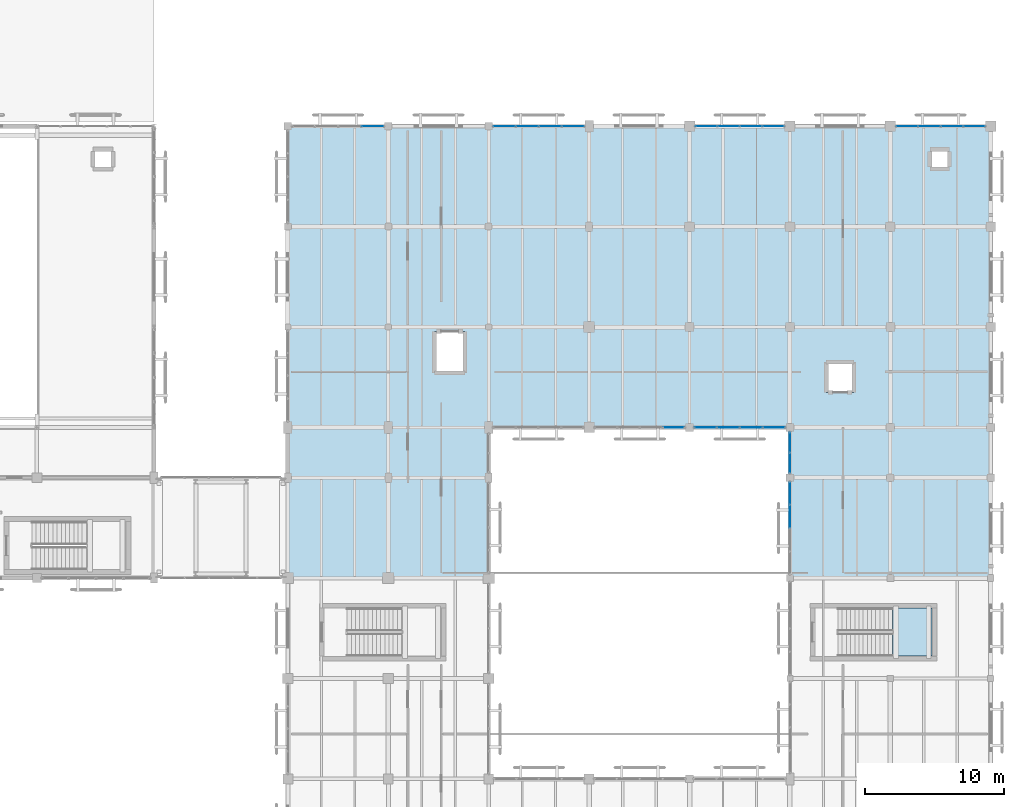
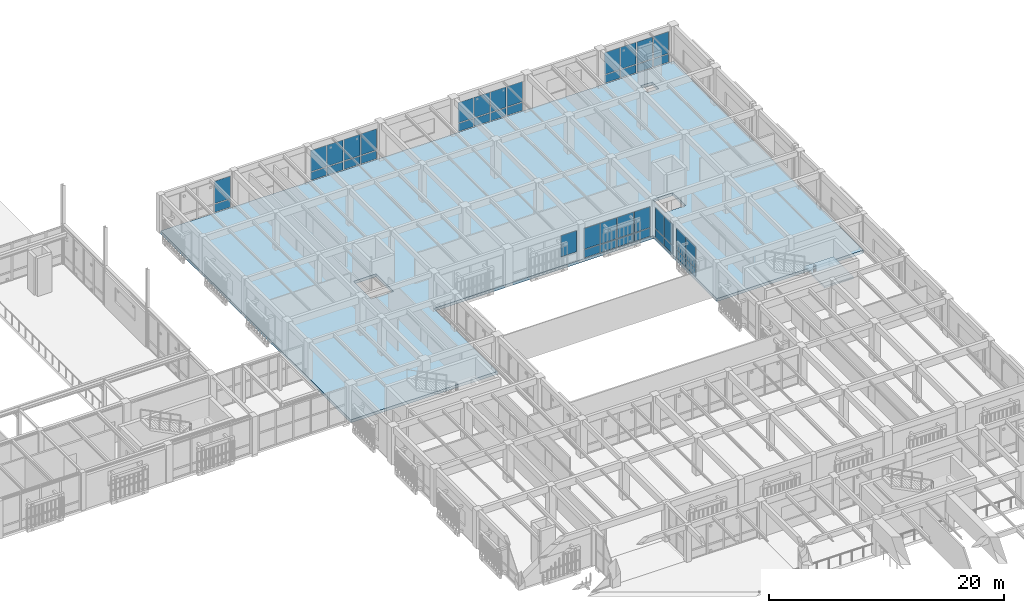
# One storey, part 127 of 170: 43 plates, 2 slabs, 9 elements without a shape of their own.
"""IFC4 building model written with IfcOpenShell, lengths in metres."""

from ifc_helpers import new_model, si_unit, direction, frame, origin, origin_2d, place, context, subcontext, project, spatial, polyline, rectangle, outline, extrude, material, layer, layer_set, type_object, element, aggregate, save


model = new_model("IFC4")

# Units and contexts
model_context = context("Model", 3, precision=1e-05, world=origin(), true_north=direction((0.0, 1.0)))
body_context = subcontext(model_context, "Body", "Model", "MODEL_VIEW")
ifc_project = project(units=[si_unit("LENGTHUNIT", "METRE"), si_unit("AREAUNIT", "SQUARE_METRE"), si_unit("VOLUMEUNIT", "CUBIC_METRE"), si_unit("PLANEANGLEUNIT", "RADIAN"), si_unit("MASSUNIT", "GRAM", prefix="KILO")], contexts=[model_context])

# Site, building, storey
site_placement = place(None, origin())
site = spatial("IfcSite", under=ifc_project, at=site_placement, CompositionType="ELEMENT")
building_placement = place(site_placement, origin())
building = spatial("IfcBuilding", under=site, at=building_placement, Name="Mazaris Harbour Polytechnic", CompositionType="ELEMENT")
storey_placement = place(building_placement, frame((0.0, 0.0, 5.39990234375)))
storey = spatial("IfcBuildingStorey", under=building, at=storey_placement, Name="L01", CompositionType="ELEMENT", Elevation=5.39990234375)

# Slab
ifc_material_1 = material(Name="Concrete C35/45", Category="concrete")
ifc_layer_1 = layer(ifc_material_1, 0.300048828125, Name="Concrete C35/45")
ifc_layer_set_1 = layer_set([ifc_layer_1], Name="Concrete C35/45")
slab_type_1 = type_object("IfcSlabType", Name="RC Podium Slab 300", PredefinedType="FLOOR", material=ifc_layer_set_1)
slab_1_placement = place(storey_placement, frame((0.0, 0.0, -0.2998046875)))
element("IfcSlab", 1, at=slab_1_placement, inside=storey, type_object=slab_type_1, Name="V5 L01 Floor Slab", PredefinedType="FLOOR", context=body_context, shape_type="SweptSolid", body=[
    extrude(outline(polyline([(172.800048828125, 75.60009765625), (158.39990234375, 75.60009765625), (158.39990234375, 86.39990234375), (136.800048828125, 86.39990234375), (136.800048828125, 75.60009765625), (122.39990234375, 75.60009765625), (122.39990234375, 108.0), (172.800048828125, 108.0), (172.800048828125, 75.60009765625)]), holes=[polyline([(135.10009765625, 93.300048828125), (132.89990234375, 93.300048828125), (132.89990234375, 90.300048828125), (135.10009765625, 90.300048828125), (135.10009765625, 93.300048828125)]), polyline([(163.0, 88.89990234375), (163.0, 91.10009765625), (161.0, 91.10009765625), (161.0, 88.89990234375), (163.0, 88.89990234375)]), polyline([(168.580078125, 106.199951171875), (168.580078125, 105.080078125), (169.699951171875, 105.080078125), (169.699951171875, 106.199951171875), (168.580078125, 106.199951171875)])]), origin(), (0.0, 0.0, 1.0), 0.2998046875),
])

# Stair, slab
ifc_material_2 = material(Name="Concrete C40/50", Category="concrete")
stair_type = type_object("IfcStairType", Name="Core Exit Stair H4200", PredefinedType="HALF_TURN_STAIR", material=ifc_material_2)
stair_placement = place(storey_placement, origin())
stair = element("IfcStair", 2, at=stair_placement, inside=storey, type_object=stair_type, Name="L01 ST10", PredefinedType="HALF_TURN_STAIR")
ifc_material_3 = material(Name="Concrete C40/50", Category="concrete")
ifc_layer_2 = layer(ifc_material_3, 0.199951171875, Name="Concrete C40/50")
ifc_layer_set_2 = layer_set([ifc_layer_2], Name="Concrete C40/50")
slab_type_2 = type_object("IfcSlabType", Name="RC Stair Landing 200", PredefinedType="LANDING", material=ifc_layer_set_2)
slab_2_placement = place(storey_placement, frame((0.0, 0.0, 1.900146484375)))
slab_2 = element("IfcSlab", 3, at=slab_2_placement, type_object=slab_type_2, Name="ST10 landing 1", PredefinedType="LANDING", context=body_context, shape_type="SweptSolid", body=[
    extrude(outline(polyline([(165.75, 70.0), (168.60009765625, 70.0), (168.60009765625, 73.449951171875), (165.75, 73.449951171875), (165.75, 70.0)])), origin(), (0.0, 0.0, 1.0), 0.199951171875),
])
aggregate(stair, [slab_2])

# Curtain wall, plates
ifc_material_4 = material(Name="Anodised Bronze Aluminium and Low-E Glass", Category="aluminium")
ifc_layer_3 = layer(ifc_material_4, 0.169921875, Name="Anodised Bronze Aluminium and Low-E Glass")
ifc_layer_set_3 = layer_set([ifc_layer_3], Name="Anodised Bronze Aluminium and Low-E Glass")
curtain_wall_type = type_object("IfcCurtainWallType", Name="Studio North-Light Curtain Wall", PredefinedType="NOTDEFINED", material=ifc_layer_set_3)
curtain_wall_1_placement = place(storey_placement, origin())
curtain_wall_1 = element("IfcCurtainWall", 4, at=curtain_wall_1_placement, inside=storey, type_object=curtain_wall_type, Name="V5 L01 Curtain Wall 205", PredefinedType="NOTDEFINED")
ifc_material_5 = material(Name="Solar-Control Low-E Glazing", Category="glass")
ifc_layer_4 = layer(ifc_material_5, 0.031982421875, Name="Solar-Control Low-E Glazing")
ifc_layer_set_4 = layer_set([ifc_layer_4], Name="Solar-Control Low-E Glazing")
plate_type = type_object("IfcPlateType", Name="Solar Control Studio Glass Panel 32", PredefinedType="CURTAIN_PANEL", material=ifc_layer_set_4)
plate_1_placement = place(storey_placement, frame((128.479736328125, 108.0, 0.080078125), z_axis=(0.0, 0.0, 1.0), x_axis=(1.0, 0.0, 0.0)))
plate_1 = element("IfcPlate", 5, at=plate_1_placement, type_object=plate_type, Name="CW-03 panel 4.1", PredefinedType="CURTAIN_PANEL", context=body_context, shape_type="SweptSolid", body=[
    extrude(rectangle(XDim=1.54638671875, YDim=0.031982421875, at=origin_2d()), origin(), (0.0, 0.0, 1.0), 0.830078125),
])
plate_2_placement = place(storey_placement, frame((128.479736328125, 108.0, 0.990234375), z_axis=(0.0, 0.0, 1.0), x_axis=(1.0, 0.0, 0.0)))
plate_2 = element("IfcPlate", 6, at=plate_2_placement, type_object=plate_type, Name="CW-03 panel 4.2", PredefinedType="CURTAIN_PANEL", context=body_context, shape_type="SweptSolid", body=[
    extrude(rectangle(XDim=1.54638671875, YDim=0.031982421875, at=origin_2d()), origin(), (0.0, 0.0, 1.0), 2.320068359375),
])
aggregate(curtain_wall_1, [plate_1, plate_2])

curtain_wall_2_placement = place(storey_placement, origin())
curtain_wall_2 = element("IfcCurtainWall", 7, at=curtain_wall_2_placement, inside=storey, type_object=curtain_wall_type, Name="V5 L01 Curtain Wall 206", PredefinedType="NOTDEFINED")
plate_3_placement = place(storey_placement, frame((137.917236328125, 108.0, 0.080078125), z_axis=(0.0, 0.0, 1.0), x_axis=(1.0, 0.0, 0.0)))
plate_3 = element("IfcPlate", 8, at=plate_3_placement, type_object=plate_type, Name="CW-03 panel 1.1", PredefinedType="CURTAIN_PANEL", context=body_context, shape_type="SweptSolid", body=[
    extrude(rectangle(XDim=1.540283203125, YDim=0.031982421875, at=origin_2d()), origin(), (0.0, 0.0, 1.0), 0.830078125),
])
plate_4_placement = place(storey_placement, frame((137.917236328125, 108.0, 0.990234375), z_axis=(0.0, 0.0, 1.0), x_axis=(1.0, 0.0, 0.0)))
plate_4 = element("IfcPlate", 9, at=plate_4_placement, type_object=plate_type, Name="CW-03 panel 1.2", PredefinedType="CURTAIN_PANEL", context=body_context, shape_type="SweptSolid", body=[
    extrude(rectangle(XDim=1.540283203125, YDim=0.031982421875, at=origin_2d()), origin(), (0.0, 0.0, 1.0), 2.199951171875),
])
plate_5_placement = place(storey_placement, frame((139.557373046875, 108.0, 0.080078125), z_axis=(0.0, 0.0, 1.0), x_axis=(1.0, 0.0, 0.0)))
plate_5 = element("IfcPlate", 10, at=plate_5_placement, type_object=plate_type, Name="CW-03 panel 2.1", PredefinedType="CURTAIN_PANEL", context=body_context, shape_type="SweptSolid", body=[
    extrude(rectangle(XDim=1.580322265625, YDim=0.031982421875, at=origin_2d()), origin(), (0.0, 0.0, 1.0), 0.830078125),
])
plate_6_placement = place(storey_placement, frame((139.557373046875, 108.0, 0.990234375), z_axis=(0.0, 0.0, 1.0), x_axis=(1.0, 0.0, 0.0)))
plate_6 = element("IfcPlate", 11, at=plate_6_placement, type_object=plate_type, Name="CW-03 panel 2.2", PredefinedType="CURTAIN_PANEL", context=body_context, shape_type="SweptSolid", body=[
    extrude(rectangle(XDim=1.580322265625, YDim=0.031982421875, at=origin_2d()), origin(), (0.0, 0.0, 1.0), 2.199951171875),
])
plate_7_placement = place(storey_placement, frame((141.217529296875, 108.0, 0.080078125), z_axis=(0.0, 0.0, 1.0), x_axis=(1.0, 0.0, 0.0)))
plate_7 = element("IfcPlate", 12, at=plate_7_placement, type_object=plate_type, Name="CW-03 panel 3.1", PredefinedType="CURTAIN_PANEL", context=body_context, shape_type="SweptSolid", body=[
    extrude(rectangle(XDim=1.580322265625, YDim=0.031982421875, at=origin_2d()), origin(), (0.0, 0.0, 1.0), 0.830078125),
])
plate_8_placement = place(storey_placement, frame((141.217529296875, 108.0, 0.990234375), z_axis=(0.0, 0.0, 1.0), x_axis=(1.0, 0.0, 0.0)))
plate_8 = element("IfcPlate", 13, at=plate_8_placement, type_object=plate_type, Name="CW-03 panel 3.2", PredefinedType="CURTAIN_PANEL", context=body_context, shape_type="SweptSolid", body=[
    extrude(rectangle(XDim=1.580322265625, YDim=0.031982421875, at=origin_2d()), origin(), (0.0, 0.0, 1.0), 2.199951171875),
])
plate_9_placement = place(storey_placement, frame((142.85791015625, 108.0, 0.080078125), z_axis=(0.0, 0.0, 1.0), x_axis=(1.0, 0.0, 0.0)))
plate_9 = element("IfcPlate", 14, at=plate_9_placement, type_object=plate_type, Name="CW-03 panel 4.1", PredefinedType="CURTAIN_PANEL", context=body_context, shape_type="SweptSolid", body=[
    extrude(rectangle(XDim=1.540283203125, YDim=0.031982421875, at=origin_2d()), origin(), (0.0, 0.0, 1.0), 0.830078125),
])
plate_10_placement = place(storey_placement, frame((142.85791015625, 108.0, 0.990234375), z_axis=(0.0, 0.0, 1.0), x_axis=(1.0, 0.0, 0.0)))
plate_10 = element("IfcPlate", 15, at=plate_10_placement, type_object=plate_type, Name="CW-03 panel 4.2", PredefinedType="CURTAIN_PANEL", context=body_context, shape_type="SweptSolid", body=[
    extrude(rectangle(XDim=1.540283203125, YDim=0.031982421875, at=origin_2d()), origin(), (0.0, 0.0, 1.0), 2.199951171875),
])
aggregate(curtain_wall_2, [plate_3, plate_4, plate_5, plate_6, plate_7, plate_8, plate_9, plate_10])

curtain_wall_3_placement = place(storey_placement, origin())
curtain_wall_3 = element("IfcCurtainWall", 16, at=curtain_wall_3_placement, inside=storey, type_object=curtain_wall_type, Name="V5 L01 Curtain Wall 207", PredefinedType="NOTDEFINED")
plate_11_placement = place(storey_placement, frame((152.395263671875, 108.0, 0.080078125), z_axis=(0.0, 0.0, 1.0), x_axis=(1.0, 0.0, 0.0)))
plate_11 = element("IfcPlate", 17, at=plate_11_placement, type_object=plate_type, Name="CW-03 panel 1.1", PredefinedType="CURTAIN_PANEL", context=body_context, shape_type="SweptSolid", body=[
    extrude(rectangle(XDim=1.49658203125, YDim=0.031982421875, at=origin_2d()), origin(), (0.0, 0.0, 1.0), 0.830078125),
])
plate_12_placement = place(storey_placement, frame((152.395263671875, 108.0, 0.989990234375), z_axis=(0.0, 0.0, 1.0), x_axis=(1.0, 0.0, 0.0)))
plate_12 = element("IfcPlate", 18, at=plate_12_placement, type_object=plate_type, Name="CW-03 panel 1.2", PredefinedType="CURTAIN_PANEL", context=body_context, shape_type="SweptSolid", body=[
    extrude(rectangle(XDim=1.49658203125, YDim=0.031982421875, at=origin_2d()), origin(), (0.0, 0.0, 1.0), 2.10009765625),
])
plate_13_placement = place(storey_placement, frame((153.99169921875, 108.0, 0.080078125), z_axis=(0.0, 0.0, 1.0), x_axis=(1.0, 0.0, 0.0)))
plate_13 = element("IfcPlate", 19, at=plate_13_placement, type_object=plate_type, Name="CW-03 panel 2.1", PredefinedType="CURTAIN_PANEL", context=body_context, shape_type="SweptSolid", body=[
    extrude(rectangle(XDim=1.53662109375, YDim=0.031982421875, at=origin_2d()), origin(), (0.0, 0.0, 1.0), 0.830078125),
])
plate_14_placement = place(storey_placement, frame((153.99169921875, 108.0, 0.989990234375), z_axis=(0.0, 0.0, 1.0), x_axis=(1.0, 0.0, 0.0)))
plate_14 = element("IfcPlate", 20, at=plate_14_placement, type_object=plate_type, Name="CW-03 panel 2.2", PredefinedType="CURTAIN_PANEL", context=body_context, shape_type="SweptSolid", body=[
    extrude(rectangle(XDim=1.53662109375, YDim=0.031982421875, at=origin_2d()), origin(), (0.0, 0.0, 1.0), 2.10009765625),
])
plate_15_placement = place(storey_placement, frame((155.608154296875, 108.0, 0.080078125), z_axis=(0.0, 0.0, 1.0), x_axis=(1.0, 0.0, 0.0)))
plate_15 = element("IfcPlate", 21, at=plate_15_placement, type_object=plate_type, Name="CW-03 panel 3.1", PredefinedType="CURTAIN_PANEL", context=body_context, shape_type="SweptSolid", body=[
    extrude(rectangle(XDim=1.53662109375, YDim=0.031982421875, at=origin_2d()), origin(), (0.0, 0.0, 1.0), 0.830078125),
])
plate_16_placement = place(storey_placement, frame((155.608154296875, 108.0, 0.989990234375), z_axis=(0.0, 0.0, 1.0), x_axis=(1.0, 0.0, 0.0)))
plate_16 = element("IfcPlate", 22, at=plate_16_placement, type_object=plate_type, Name="CW-03 panel 3.2", PredefinedType="CURTAIN_PANEL", context=body_context, shape_type="SweptSolid", body=[
    extrude(rectangle(XDim=1.53662109375, YDim=0.031982421875, at=origin_2d()), origin(), (0.0, 0.0, 1.0), 2.10009765625),
])
plate_17_placement = place(storey_placement, frame((157.204833984375, 108.0, 0.080078125), z_axis=(0.0, 0.0, 1.0), x_axis=(1.0, 0.0, 0.0)))
plate_17 = element("IfcPlate", 23, at=plate_17_placement, type_object=plate_type, Name="CW-03 panel 4.1", PredefinedType="CURTAIN_PANEL", context=body_context, shape_type="SweptSolid", body=[
    extrude(rectangle(XDim=1.49658203125, YDim=0.031982421875, at=origin_2d()), origin(), (0.0, 0.0, 1.0), 0.830078125),
])
plate_18_placement = place(storey_placement, frame((157.204833984375, 108.0, 0.989990234375), z_axis=(0.0, 0.0, 1.0), x_axis=(1.0, 0.0, 0.0)))
plate_18 = element("IfcPlate", 24, at=plate_18_placement, type_object=plate_type, Name="CW-03 panel 4.2", PredefinedType="CURTAIN_PANEL", context=body_context, shape_type="SweptSolid", body=[
    extrude(rectangle(XDim=1.49658203125, YDim=0.031982421875, at=origin_2d()), origin(), (0.0, 0.0, 1.0), 2.10009765625),
])
aggregate(curtain_wall_3, [plate_11, plate_12, plate_13, plate_14, plate_15, plate_16, plate_17, plate_18])

curtain_wall_4_placement = place(storey_placement, origin())
curtain_wall_4 = element("IfcCurtainWall", 25, at=curtain_wall_4_placement, inside=storey, type_object=curtain_wall_type, Name="V5 L01 Curtain Wall 208", PredefinedType="NOTDEFINED")
plate_19_placement = place(storey_placement, frame((166.795166015625, 108.0, 0.080078125), z_axis=(0.0, 0.0, 1.0), x_axis=(1.0, 0.0, 0.0)))
plate_19 = element("IfcPlate", 26, at=plate_19_placement, type_object=plate_type, Name="CW-03 panel 1.1", PredefinedType="CURTAIN_PANEL", context=body_context, shape_type="SweptSolid", body=[
    extrude(rectangle(XDim=1.49658203125, YDim=0.031982421875, at=origin_2d()), origin(), (0.0, 0.0, 1.0), 0.830078125),
])
plate_20_placement = place(storey_placement, frame((166.795166015625, 108.0, 0.990234375), z_axis=(0.0, 0.0, 1.0), x_axis=(1.0, 0.0, 0.0)))
plate_20 = element("IfcPlate", 27, at=plate_20_placement, type_object=plate_type, Name="CW-03 panel 1.2", PredefinedType="CURTAIN_PANEL", context=body_context, shape_type="SweptSolid", body=[
    extrude(rectangle(XDim=1.49658203125, YDim=0.031982421875, at=origin_2d()), origin(), (0.0, 0.0, 1.0), 2.260009765625),
])
plate_21_placement = place(storey_placement, frame((168.391845703125, 108.0, 0.080078125), z_axis=(0.0, 0.0, 1.0), x_axis=(1.0, 0.0, 0.0)))
plate_21 = element("IfcPlate", 28, at=plate_21_placement, type_object=plate_type, Name="CW-03 panel 2.1", PredefinedType="CURTAIN_PANEL", context=body_context, shape_type="SweptSolid", body=[
    extrude(rectangle(XDim=1.53662109375, YDim=0.031982421875, at=origin_2d()), origin(), (0.0, 0.0, 1.0), 0.830078125),
])
plate_22_placement = place(storey_placement, frame((168.391845703125, 108.0, 0.990234375), z_axis=(0.0, 0.0, 1.0), x_axis=(1.0, 0.0, 0.0)))
plate_22 = element("IfcPlate", 29, at=plate_22_placement, type_object=plate_type, Name="CW-03 panel 2.2", PredefinedType="CURTAIN_PANEL", context=body_context, shape_type="SweptSolid", body=[
    extrude(rectangle(XDim=1.53662109375, YDim=0.031982421875, at=origin_2d()), origin(), (0.0, 0.0, 1.0), 2.260009765625),
])
plate_23_placement = place(storey_placement, frame((170.00830078125, 108.0, 0.080078125), z_axis=(0.0, 0.0, 1.0), x_axis=(1.0, 0.0, 0.0)))
plate_23 = element("IfcPlate", 30, at=plate_23_placement, type_object=plate_type, Name="CW-03 panel 3.1", PredefinedType="CURTAIN_PANEL", context=body_context, shape_type="SweptSolid", body=[
    extrude(rectangle(XDim=1.53662109375, YDim=0.031982421875, at=origin_2d()), origin(), (0.0, 0.0, 1.0), 0.830078125),
])
plate_24_placement = place(storey_placement, frame((170.00830078125, 108.0, 0.990234375), z_axis=(0.0, 0.0, 1.0), x_axis=(1.0, 0.0, 0.0)))
plate_24 = element("IfcPlate", 31, at=plate_24_placement, type_object=plate_type, Name="CW-03 panel 3.2", PredefinedType="CURTAIN_PANEL", context=body_context, shape_type="SweptSolid", body=[
    extrude(rectangle(XDim=1.53662109375, YDim=0.031982421875, at=origin_2d()), origin(), (0.0, 0.0, 1.0), 2.260009765625),
])
plate_25_placement = place(storey_placement, frame((171.604736328125, 108.0, 0.080078125), z_axis=(0.0, 0.0, 1.0), x_axis=(1.0, 0.0, 0.0)))
plate_25 = element("IfcPlate", 32, at=plate_25_placement, type_object=plate_type, Name="CW-03 panel 4.1", PredefinedType="CURTAIN_PANEL", context=body_context, shape_type="SweptSolid", body=[
    extrude(rectangle(XDim=1.49658203125, YDim=0.031982421875, at=origin_2d()), origin(), (0.0, 0.0, 1.0), 0.830078125),
])
plate_26_placement = place(storey_placement, frame((171.604736328125, 108.0, 0.990234375), z_axis=(0.0, 0.0, 1.0), x_axis=(1.0, 0.0, 0.0)))
plate_26 = element("IfcPlate", 33, at=plate_26_placement, type_object=plate_type, Name="CW-03 panel 4.2", PredefinedType="CURTAIN_PANEL", context=body_context, shape_type="SweptSolid", body=[
    extrude(rectangle(XDim=1.49658203125, YDim=0.031982421875, at=origin_2d()), origin(), (0.0, 0.0, 1.0), 2.260009765625),
])
aggregate(curtain_wall_4, [plate_19, plate_20, plate_21, plate_22, plate_23, plate_24, plate_25, plate_26])

# Curtain wall, plate
curtain_wall_5_placement = place(storey_placement, origin())
curtain_wall_5 = element("IfcCurtainWall", 34, at=curtain_wall_5_placement, inside=storey, type_object=curtain_wall_type, Name="V5 L01 Curtain Wall 217", PredefinedType="NOTDEFINED")
plate_27_placement = place(storey_placement, frame((150.0703125, 86.39990234375, 0.990234375), z_axis=(0.0, 0.0, 1.0), x_axis=(-1.0, 0.0, 0.0)))
plate_27 = element("IfcPlate", 35, at=plate_27_placement, type_object=plate_type, Name="CW-03 panel 1.2", PredefinedType="CURTAIN_PANEL", context=body_context, shape_type="SweptSolid", body=[
    extrude(rectangle(XDim=1.51513671875, YDim=0.031982421875, at=origin_2d()), origin(), (0.0, 0.0, 1.0), 2.199951171875),
])
aggregate(curtain_wall_5, [plate_27])

# Curtain wall, plates
curtain_wall_6_placement = place(storey_placement, origin())
curtain_wall_6 = element("IfcCurtainWall", 36, at=curtain_wall_6_placement, inside=storey, type_object=curtain_wall_type, Name="V5 L01 Curtain Wall 218", PredefinedType="NOTDEFINED")
plate_28_placement = place(storey_placement, frame((157.260986328125, 86.39990234375, 0.080078125), z_axis=(0.0, 0.0, 1.0), x_axis=(-1.0, 0.0, 0.0)))
plate_28 = element("IfcPlate", 37, at=plate_28_placement, type_object=plate_type, Name="CW-03 panel 1.1", PredefinedType="CURTAIN_PANEL", context=body_context, shape_type="SweptSolid", body=[
    extrude(rectangle(XDim=1.533935546875, YDim=0.031982421875, at=origin_2d()), origin(), (0.0, 0.0, 1.0), 0.830078125),
])
plate_29_placement = place(storey_placement, frame((157.260986328125, 86.39990234375, 0.990234375), z_axis=(0.0, 0.0, 1.0), x_axis=(-1.0, 0.0, 0.0)))
plate_29 = element("IfcPlate", 38, at=plate_29_placement, type_object=plate_type, Name="CW-03 panel 1.2", PredefinedType="CURTAIN_PANEL", context=body_context, shape_type="SweptSolid", body=[
    extrude(rectangle(XDim=1.533935546875, YDim=0.031982421875, at=origin_2d()), origin(), (0.0, 0.0, 1.0), 2.159912109375),
])
plate_30_placement = place(storey_placement, frame((155.626953125, 86.39990234375, 0.080078125), z_axis=(0.0, 0.0, 1.0), x_axis=(-1.0, 0.0, 0.0)))
plate_30 = element("IfcPlate", 39, at=plate_30_placement, type_object=plate_type, Name="CW-03 panel 2.1", PredefinedType="CURTAIN_PANEL", context=body_context, shape_type="SweptSolid", body=[
    extrude(rectangle(XDim=1.573974609375, YDim=0.031982421875, at=origin_2d()), origin(), (0.0, 0.0, 1.0), 0.830078125),
])
plate_31_placement = place(storey_placement, frame((155.626953125, 86.39990234375, 0.990234375), z_axis=(0.0, 0.0, 1.0), x_axis=(-1.0, 0.0, 0.0)))
plate_31 = element("IfcPlate", 40, at=plate_31_placement, type_object=plate_type, Name="CW-03 panel 2.2", PredefinedType="CURTAIN_PANEL", context=body_context, shape_type="SweptSolid", body=[
    extrude(rectangle(XDim=1.573974609375, YDim=0.031982421875, at=origin_2d()), origin(), (0.0, 0.0, 1.0), 2.159912109375),
])
plate_32_placement = place(storey_placement, frame((153.972900390625, 86.39990234375, 0.080078125), z_axis=(0.0, 0.0, 1.0), x_axis=(-1.0, 0.0, 0.0)))
plate_32 = element("IfcPlate", 41, at=plate_32_placement, type_object=plate_type, Name="CW-03 panel 3.1", PredefinedType="CURTAIN_PANEL", context=body_context, shape_type="SweptSolid", body=[
    extrude(rectangle(XDim=1.573974609375, YDim=0.031982421875, at=origin_2d()), origin(), (0.0, 0.0, 1.0), 0.830078125),
])
plate_33_placement = place(storey_placement, frame((153.972900390625, 86.39990234375, 0.990234375), z_axis=(0.0, 0.0, 1.0), x_axis=(-1.0, 0.0, 0.0)))
plate_33 = element("IfcPlate", 42, at=plate_33_placement, type_object=plate_type, Name="CW-03 panel 3.2", PredefinedType="CURTAIN_PANEL", context=body_context, shape_type="SweptSolid", body=[
    extrude(rectangle(XDim=1.573974609375, YDim=0.031982421875, at=origin_2d()), origin(), (0.0, 0.0, 1.0), 2.159912109375),
])
plate_34_placement = place(storey_placement, frame((152.339111328125, 86.39990234375, 0.080078125), z_axis=(0.0, 0.0, 1.0), x_axis=(-1.0, 0.0, 0.0)))
plate_34 = element("IfcPlate", 43, at=plate_34_placement, type_object=plate_type, Name="CW-03 panel 4.1", PredefinedType="CURTAIN_PANEL", context=body_context, shape_type="SweptSolid", body=[
    extrude(rectangle(XDim=1.533935546875, YDim=0.031982421875, at=origin_2d()), origin(), (0.0, 0.0, 1.0), 0.830078125),
])
plate_35_placement = place(storey_placement, frame((152.339111328125, 86.39990234375, 0.990234375), z_axis=(0.0, 0.0, 1.0), x_axis=(-1.0, 0.0, 0.0)))
plate_35 = element("IfcPlate", 44, at=plate_35_placement, type_object=plate_type, Name="CW-03 panel 4.2", PredefinedType="CURTAIN_PANEL", context=body_context, shape_type="SweptSolid", body=[
    extrude(rectangle(XDim=1.533935546875, YDim=0.031982421875, at=origin_2d()), origin(), (0.0, 0.0, 1.0), 2.159912109375),
])
aggregate(curtain_wall_6, [plate_28, plate_29, plate_30, plate_31, plate_32, plate_33, plate_34, plate_35])

curtain_wall_7_placement = place(storey_placement, origin())
curtain_wall_7 = element("IfcCurtainWall", 45, at=curtain_wall_7_placement, inside=storey, type_object=curtain_wall_type, Name="V5 L01 Curtain Wall 225", PredefinedType="NOTDEFINED")
plate_36_placement = place(storey_placement, frame((158.39990234375, 81.676513671875, 0.080078125), z_axis=(0.0, 0.0, 1.0), x_axis=(0.0, -1.0, 0.0)))
plate_36 = element("IfcPlate", 46, at=plate_36_placement, type_object=plate_type, Name="CW-03 panel 1.1", PredefinedType="CURTAIN_PANEL", context=body_context, shape_type="SweptSolid", body=[
    extrude(rectangle(XDim=1.552734375, YDim=0.031982421875, at=origin_2d()), origin(), (0.0, 0.0, 1.0), 0.830078125),
])
plate_37_placement = place(storey_placement, frame((158.39990234375, 81.676513671875, 0.990234375), z_axis=(0.0, 0.0, 1.0), x_axis=(0.0, -1.0, 0.0)))
plate_37 = element("IfcPlate", 47, at=plate_37_placement, type_object=plate_type, Name="CW-03 panel 1.2", PredefinedType="CURTAIN_PANEL", context=body_context, shape_type="SweptSolid", body=[
    extrude(rectangle(XDim=1.552734375, YDim=0.031982421875, at=origin_2d()), origin(), (0.0, 0.0, 1.0), 2.199951171875),
])
plate_38_placement = place(storey_placement, frame((158.39990234375, 80.02392578125, 0.080078125), z_axis=(0.0, 0.0, 1.0), x_axis=(0.0, -1.0, 0.0)))
plate_38 = element("IfcPlate", 48, at=plate_38_placement, type_object=plate_type, Name="CW-03 panel 2.1", PredefinedType="CURTAIN_PANEL", context=body_context, shape_type="SweptSolid", body=[
    extrude(rectangle(XDim=1.5927734375, YDim=0.031982421875, at=origin_2d()), origin(), (0.0, 0.0, 1.0), 0.830078125),
])
plate_39_placement = place(storey_placement, frame((158.39990234375, 80.02392578125, 0.990234375), z_axis=(0.0, 0.0, 1.0), x_axis=(0.0, -1.0, 0.0)))
plate_39 = element("IfcPlate", 49, at=plate_39_placement, type_object=plate_type, Name="CW-03 panel 2.2", PredefinedType="CURTAIN_PANEL", context=body_context, shape_type="SweptSolid", body=[
    extrude(rectangle(XDim=1.5927734375, YDim=0.031982421875, at=origin_2d()), origin(), (0.0, 0.0, 1.0), 2.199951171875),
])
aggregate(curtain_wall_7, [plate_36, plate_37, plate_38, plate_39])

curtain_wall_8_placement = place(storey_placement, origin())
curtain_wall_8 = element("IfcCurtainWall", 50, at=curtain_wall_8_placement, inside=storey, type_object=curtain_wall_type, Name="V5 L01 Curtain Wall 226", PredefinedType="NOTDEFINED")
plate_40_placement = place(storey_placement, frame((158.39990234375, 85.32763671875, 0.080078125), z_axis=(0.0, 0.0, 1.0), x_axis=(0.0, -1.0, 0.0)))
plate_40 = element("IfcPlate", 51, at=plate_40_placement, type_object=plate_type, Name="CW-03 panel 1.1", PredefinedType="CURTAIN_PANEL", context=body_context, shape_type="SweptSolid", body=[
    extrude(rectangle(XDim=1.400390625, YDim=0.031982421875, at=origin_2d()), origin(), (0.0, 0.0, 1.0), 0.830078125),
])
plate_41_placement = place(storey_placement, frame((158.39990234375, 85.32763671875, 0.990234375), z_axis=(0.0, 0.0, 1.0), x_axis=(0.0, -1.0, 0.0)))
plate_41 = element("IfcPlate", 52, at=plate_41_placement, type_object=plate_type, Name="CW-03 panel 1.2", PredefinedType="CURTAIN_PANEL", context=body_context, shape_type="SweptSolid", body=[
    extrude(rectangle(XDim=1.400390625, YDim=0.031982421875, at=origin_2d()), origin(), (0.0, 0.0, 1.0), 2.159912109375),
])
plate_42_placement = place(storey_placement, frame((158.39990234375, 83.84716796875, 0.080078125), z_axis=(0.0, 0.0, 1.0), x_axis=(0.0, -1.0, 0.0)))
plate_42 = element("IfcPlate", 53, at=plate_42_placement, type_object=plate_type, Name="CW-03 panel 2.1", PredefinedType="CURTAIN_PANEL", context=body_context, shape_type="SweptSolid", body=[
    extrude(rectangle(XDim=1.400390625, YDim=0.031982421875, at=origin_2d()), origin(), (0.0, 0.0, 1.0), 0.830078125),
])
plate_43_placement = place(storey_placement, frame((158.39990234375, 83.84716796875, 0.990234375), z_axis=(0.0, 0.0, 1.0), x_axis=(0.0, -1.0, 0.0)))
plate_43 = element("IfcPlate", 54, at=plate_43_placement, type_object=plate_type, Name="CW-03 panel 2.2", PredefinedType="CURTAIN_PANEL", context=body_context, shape_type="SweptSolid", body=[
    extrude(rectangle(XDim=1.400390625, YDim=0.031982421875, at=origin_2d()), origin(), (0.0, 0.0, 1.0), 2.159912109375),
])
aggregate(curtain_wall_8, [plate_40, plate_41, plate_42, plate_43])

save(model, "model.ifc")
